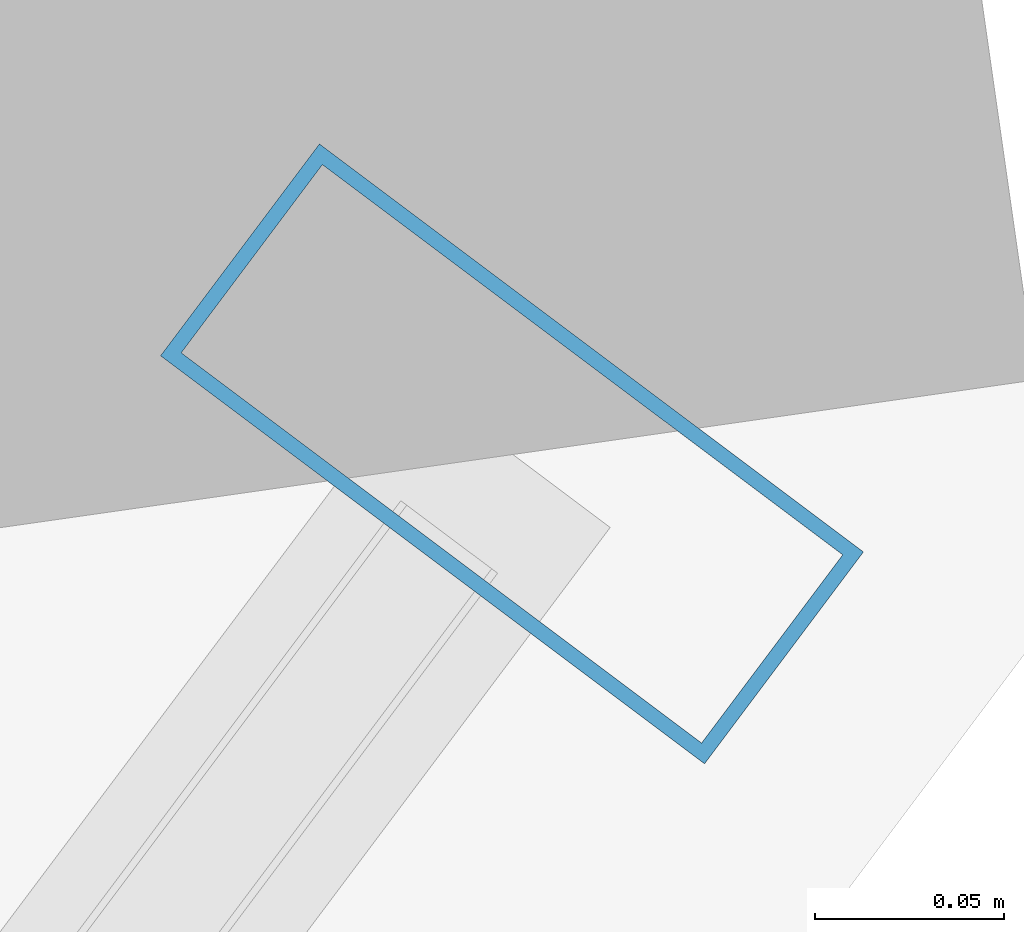
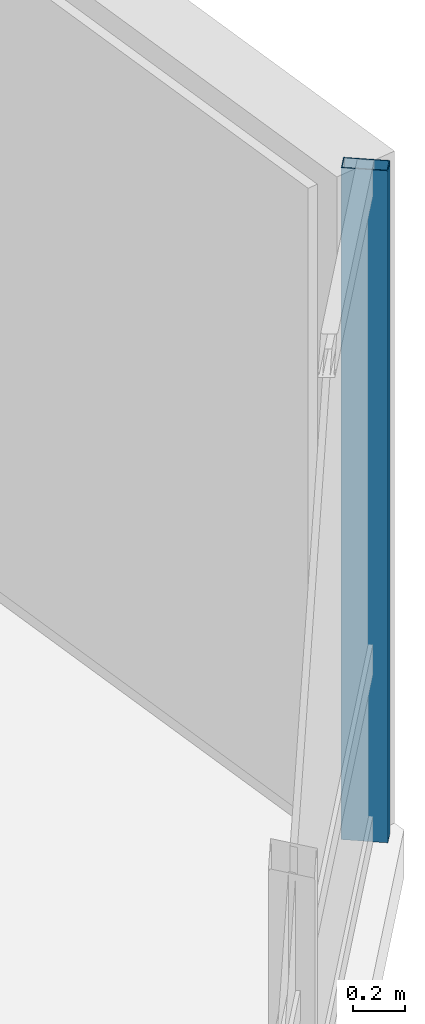
# One storey, part 12 of 30: 1 member, 1 element without a shape of its own.
"""IFC4 building model written with IfcOpenShell, lengths in metres."""

from ifc_helpers import new_model, si_unit, direction, frame, origin, origin_2d, place, context, subcontext, project, spatial, hollow_rectangle, extrude, material, layer, layer_set, material_profile, profile_set, type_object, element, aggregate, save


model = new_model("IFC4")

# Units and contexts
model_context = context("Model", 3, precision=1e-05, world=origin(), true_north=direction((0.0, 1.0)))
body_context = subcontext(model_context, "Body", "Model", "MODEL_VIEW")
ifc_project = project(units=[si_unit("LENGTHUNIT", "METRE"), si_unit("AREAUNIT", "SQUARE_METRE"), si_unit("VOLUMEUNIT", "CUBIC_METRE"), si_unit("PLANEANGLEUNIT", "RADIAN"), si_unit("MASSUNIT", "GRAM", prefix="KILO")], contexts=[model_context])

# Site, building, storey
site_placement = place(None, origin())
site = spatial("IfcSite", under=ifc_project, at=site_placement, CompositionType="ELEMENT")
building_placement = place(site_placement, origin())
building = spatial("IfcBuilding", under=site, at=building_placement, Name="Hatsunagi Terrace Concourse", CompositionType="ELEMENT")
storey_placement = place(building_placement, frame((0.0, 0.0, 74.60009765625)))
storey = spatial("IfcBuildingStorey", under=building, at=storey_placement, Name="L19", CompositionType="ELEMENT", Elevation=74.60009765625)

# Curtain wall, member
ifc_material_1 = material(Name="Anodised Aluminium Alloy 6063-T5", Category="aluminium")
ifc_layer = layer(ifc_material_1, 0.199951171875)
ifc_layer_set = layer_set([ifc_layer], Name="HotelFacade_CW02")
curtain_wall_type = type_object("IfcCurtainWallType", Name="HotelFacade_CW02", PredefinedType="NOTDEFINED", material=ifc_layer_set)
curtain_wall_placement = place(storey_placement, origin())
curtain_wall = element("IfcCurtainWall", 1, at=curtain_wall_placement, inside=storey, type_object=curtain_wall_type, Name="Unitised Curtain Wall CW-02 CW-L19-03", PredefinedType="NOTDEFINED")
ifc_material_2 = material(Name="Anodised Aluminium Alloy 6063-T5", Category="aluminium")
ifc_material_profile = material_profile(ifc_material_2, hollow_rectangle(XDim=0.070068359375, YDim=0.179931640625, WallThickness=0.00390625, at=origin_2d()), Name="ALU-MUL-180x70x4")
ifc_profile_set = profile_set([ifc_material_profile], Name="Anodised Aluminium Alloy 6063-T5")
member_type = type_object("IfcMemberType", Name="CurtainWallMullion_180x70", PredefinedType="MULLION", material=ifc_profile_set)
member_placement = place(storey_placement, frame((69.093017578125, 19.657958984375, 0.0), z_axis=(0.0, 0.0, 1.0), x_axis=(-0.599969314634, -0.800023013105, 0.0)))
member = element("IfcMember", 2, at=member_placement, type_object=member_type, Name="Curtain Wall Mullion MUL-02", PredefinedType="MULLION", context=body_context, shape_type="SweptSolid", body=[
    extrude(hollow_rectangle(XDim=0.070068359375, YDim=0.179931640625, WallThickness=0.00390625, at=origin_2d()), origin(), (0.0, 0.0, 1.0), 3.1298828125),
])
aggregate(curtain_wall, [member])

save(model, "model.ifc")
